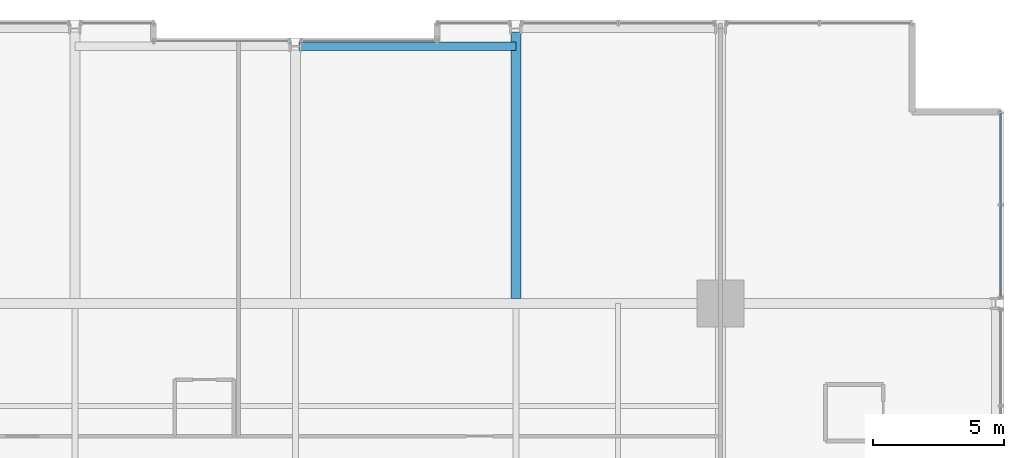
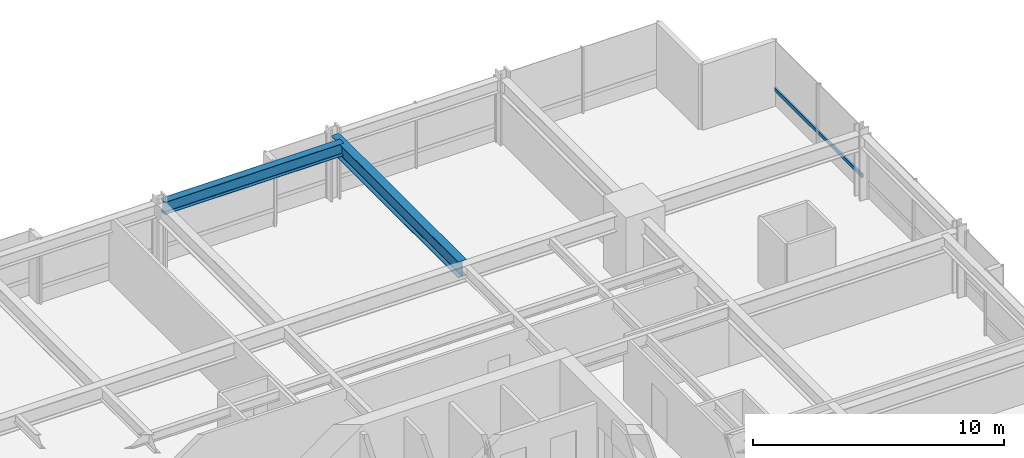
# One storey, part 26 of 37: 2 beams, 1 member, 1 element without a shape of its own.
"""IFC4 building model written with IfcOpenShell, lengths in metres."""

from ifc_helpers import new_model, si_unit, direction, frame, origin, origin_2d, place, context, subcontext, project, spatial, hollow_rectangle, i_section, extrude, material, layer, layer_set, material_profile, profile_set, type_object, element, aggregate, save


model = new_model("IFC4")

# Units and contexts
model_context = context("Model", 3, precision=1e-05, world=origin(), true_north=direction((0.0, 1.0)))
body_context = subcontext(model_context, "Body", "Model", "MODEL_VIEW")
ifc_project = project(units=[si_unit("LENGTHUNIT", "METRE"), si_unit("AREAUNIT", "SQUARE_METRE"), si_unit("VOLUMEUNIT", "CUBIC_METRE"), si_unit("PLANEANGLEUNIT", "RADIAN"), si_unit("MASSUNIT", "GRAM", prefix="KILO")], contexts=[model_context])

# Site, building, storey
site_placement = place(None, origin())
site = spatial("IfcSite", under=ifc_project, at=site_placement, CompositionType="ELEMENT")
building_placement = place(site_placement, origin())
building = spatial("IfcBuilding", under=site, at=building_placement, Name="Drelvath Grand Hotel", CompositionType="ELEMENT")
storey_placement = place(building_placement, frame((0.0, 0.0, 78.699951171875)))
storey = spatial("IfcBuildingStorey", under=building, at=storey_placement, Name="L19", CompositionType="ELEMENT", Elevation=78.699951171875)

# Curtain wall, member
ifc_material_1 = material(Name="Warm Bronze Anodised Aluminium Frame", Category="aluminium")
ifc_layer = layer(ifc_material_1, 0.199951171875)
ifc_layer_set = layer_set([ifc_layer], Name="Warm Bronze Anodised Aluminium Frame")
curtain_wall_type = type_object("IfcCurtainWallType", Name="Stick Curtain Wall CW-02 Warm Bronze Low-Rise", PredefinedType="NOTDEFINED", material=ifc_layer_set)
curtain_wall_placement = place(storey_placement, origin())
curtain_wall = element("IfcCurtainWall", 1, at=curtain_wall_placement, inside=storey, type_object=curtain_wall_type, Name="L19 CW-02 Curtain Wall CW02-L19-EN3", PredefinedType="NOTDEFINED")
ifc_material_profile_1 = material_profile(ifc_material_1, hollow_rectangle(XDim=0.074951171875, YDim=0.179931640625, WallThickness=0.0048828125, at=origin_2d()), Name="HSS180X75X5")
ifc_profile_set_1 = profile_set([ifc_material_profile_1], Name="Warm Bronze Anodised Aluminium Frame")
member_type = type_object("IfcMemberType", Name="Curtain Wall Horizontal Transom CW-02 HSS180X75X5", PredefinedType="USERDEFINED", material=ifc_profile_set_1)
member_placement = place(storey_placement, frame((26.8798828125, 50.4599609375, 0.795166015625), z_axis=(0.0, -1.0, 0.0), x_axis=(1.0, 0.0, 0.0)))
member = element("IfcMember", 2, at=member_placement, type_object=member_type, Name="CW02-L19-EN3 Sill Transom", ObjectType="TRANSOM", PredefinedType="USERDEFINED", context=body_context, shape_type="SweptSolid", body=[
    extrude(hollow_rectangle(XDim=0.074951171875, YDim=0.179931640625, WallThickness=0.0048828125, at=origin_2d()), origin(), (0.0, 0.0, 1.0), 6.990966796875),
])
aggregate(curtain_wall, [member])

# Beams
ifc_material_2 = material(Name="Steel ASTM A992 Gr 50", Category="steel")
ifc_material_profile_2 = material_profile(ifc_material_2, i_section(OverallWidth=0.323974609375, OverallDepth=0.611083984375, WebThickness=0.0126953125, FlangeThickness=0.01904296875, FilletRadius=0.02197265625, at=origin_2d()), Name="W24X104")
ifc_profile_set_2 = profile_set([ifc_material_profile_2], Name="Steel ASTM A992 Gr 50")
beam_type_1 = type_object("IfcBeamType", Name="Perimeter Spandrel Beam W24X104", PredefinedType="SPANDREL", material=ifc_profile_set_2)
beam_1_placement = place(storey_placement, frame((0.139892578125, 53.0, 2.87451171875), z_axis=(1.0, 0.0, 0.0), x_axis=(0.0, 1.0, 0.0)))
element("IfcBeam", 3, at=beam_1_placement, inside=storey, type_object=beam_type_1, Name="L19 Spandrel North Mid E", PredefinedType="SPANDREL", context=body_context, shape_type="SweptSolid", body=[
    extrude(i_section(OverallWidth=0.323974609375, OverallDepth=0.611083984375, WebThickness=0.0126953125, FlangeThickness=0.01904296875, FilletRadius=0.02197265625, at=origin_2d()), origin(), (0.0, 0.0, 1.0), 8.260009765625),
])
ifc_material_profile_3 = material_profile(ifc_material_2, i_section(OverallWidth=0.380615234375, OverallDepth=0.773193359375, WebThickness=0.0166015625, FlangeThickness=0.027099609375, FilletRadius=0.02490234375, at=origin_2d()), Name="W30X173")
ifc_profile_set_3 = profile_set([ifc_material_profile_3], Name="Steel ASTM A992 Gr 50")
beam_type_2 = type_object("IfcBeamType", Name="Primary Floor Girder W30X173", PredefinedType="BEAM", material=ifc_profile_set_3)
beam_2_placement = place(storey_placement, frame((8.39990234375, 43.390380859375, 2.79345703125), z_axis=(0.0, 1.0, 0.0), x_axis=(-1.0, 0.0, 0.0)))
element("IfcBeam", 4, at=beam_2_placement, inside=storey, type_object=beam_type_2, Name="L19 North Wing Girder 6", PredefinedType="BEAM", context=body_context, shape_type="SweptSolid", body=[
    extrude(i_section(OverallWidth=0.380615234375, OverallDepth=0.773193359375, WebThickness=0.0166015625, FlangeThickness=0.027099609375, FilletRadius=0.02490234375, at=origin_2d()), origin(), (0.0, 0.0, 1.0), 10.149658203125),
])

save(model, "model.ifc")
